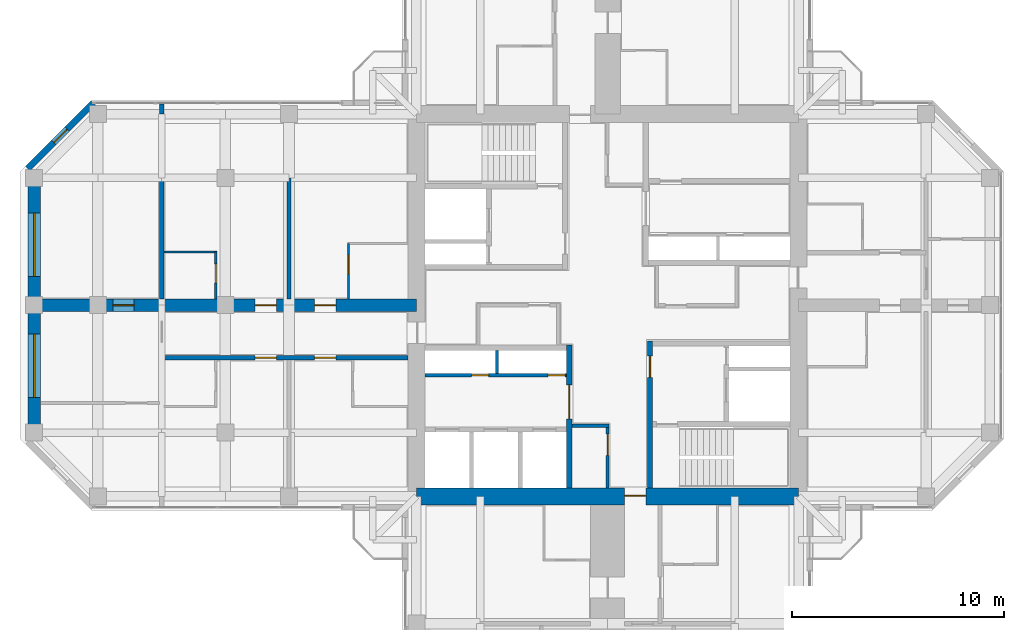
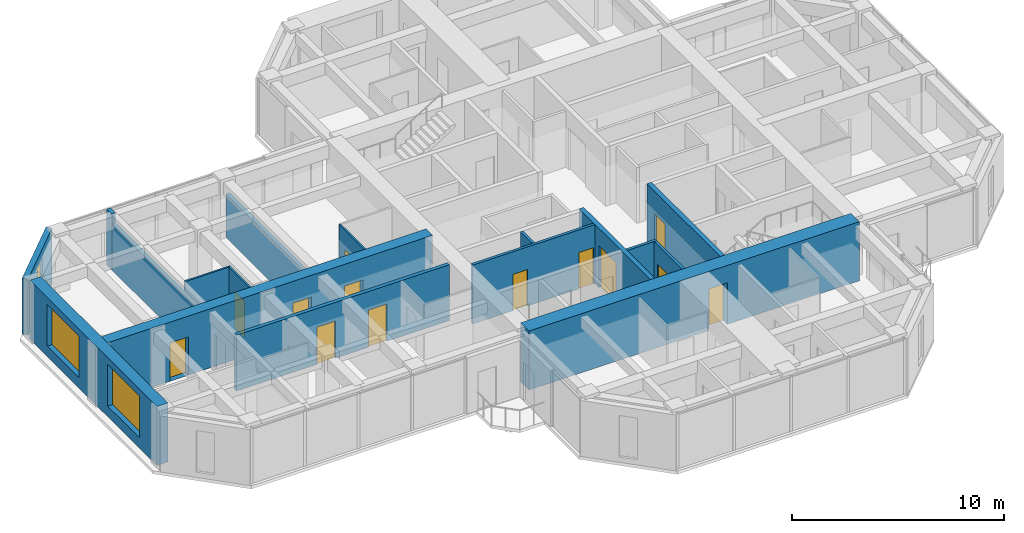
# One storey, part 9 of 14: 17 walls, 13 doors, 3 windows, 16 openings.
"""IFC4 building model written with IfcOpenShell, lengths in metres."""

from ifc_helpers import new_model, si_unit, direction, frame, frame_2d, origin, place, context, subcontext, project, spatial, rectangle, hollow_rectangle, extrude, material, layer, layer_set, constituent, constituent_set, type_object, element, fill, save


model = new_model("IFC4")

# Units and contexts
model_context = context("Model", 3, precision=1e-05, world=origin(), true_north=direction((0.0, 1.0)))
body_context = subcontext(model_context, "Body", "Model", "MODEL_VIEW")
ifc_project = project(units=[si_unit("LENGTHUNIT", "METRE"), si_unit("AREAUNIT", "SQUARE_METRE"), si_unit("VOLUMEUNIT", "CUBIC_METRE"), si_unit("PLANEANGLEUNIT", "RADIAN"), si_unit("MASSUNIT", "GRAM", prefix="KILO")], contexts=[model_context])

# Site, building, storey
site_placement = place(None, origin())
site = spatial("IfcSite", under=ifc_project, at=site_placement, CompositionType="ELEMENT")
building_placement = place(site_placement, origin())
building = spatial("IfcBuilding", under=site, at=building_placement, Name="Torre Cruceta", CompositionType="ELEMENT")
storey_placement = place(building_placement, frame((0.0, 0.0, 225.5)))
storey = spatial("IfcBuildingStorey", under=building, at=storey_placement, Name="L57", CompositionType="ELEMENT", Elevation=225.5)

# Wall, opening, door
ifc_material_1 = material(Name="Water-resistant plasterboard on steel studs", Category="steel")
ifc_layer_1 = layer(ifc_material_1, 0.10009765625)
ifc_layer_set_1 = layer_set([ifc_layer_1], Name="Water-resistant plasterboard on steel studs")
wall_type_1 = type_object("IfcWallType", Name="BATHROOM WALL 100", PredefinedType="PARTITIONING", material=ifc_layer_set_1)
wall_1_placement = place(storey_placement, frame((-12.199951171875, 2.89990234375, 0.0), z_axis=(0.0, 0.0, 1.0), x_axis=(0.0, -1.0, 0.0)))
wall_1 = element("IfcWall", 1, at=wall_1_placement, inside=storey, type_object=wall_type_1, Name="PT4 L57-W-U1RBS", PredefinedType="PARTITIONING", context=body_context, shape_type="SweptSolid", body=[
    extrude(rectangle(XDim=2.599853515625, YDim=0.10009765625, at=frame_2d((1.2998046875, 0.0))), origin(), (0.0, 0.0, 1.0), 3.219970703125),
])
opening_1_placement = place(wall_1_placement, frame((0.550048828125, 0.0, 0.0)))
opening_1 = element("IfcOpeningElement", 2, at=opening_1_placement, cuts=wall_1, Name="Opening D7", PredefinedType="OPENING", context=body_context, shape_type="SweptSolid", body=[
    extrude(rectangle(XDim=0.89990234375, YDim=2.10009765625, at=frame_2d((0.449951171875, 1.050048828125))), frame((0.0, 0.06005859375, 0.0), z_axis=(0.0, -1.0, 0.0), x_axis=(1.0, 0.0, 0.0)), (0.0, 0.0, 1.0), 0.1201171875),
])
ifc_material_2 = material(Name="Timber door", Category="wood")
door_type_1 = type_object("IfcDoorType", Name="BATHROOM DOOR 900X2100", OperationType="SINGLE_SWING_LEFT", PredefinedType="DOOR", material=ifc_material_2)
door_1_placement = place(opening_1_placement, origin())
door_1 = element("IfcDoor", 3, at=door_1_placement, inside=storey, type_object=door_type_1, Name="D7 L57-W-U1RBS-D1", OperationType="SINGLE_SWING_LEFT", OverallHeight=2.10009765625, OverallWidth=0.89990234375, PredefinedType="DOOR", context=body_context, shape_type="SweptSolid", body=[
    extrude(rectangle(XDim=0.89990234375, YDim=2.10009765625, at=frame_2d((0.449951171875, 1.050048828125))), frame((0.0, 0.02490234375, 0.0), z_axis=(0.0, -1.0, 0.0), x_axis=(1.0, 0.0, 0.0)), (0.0, 0.0, 1.0), 0.050048828125),
])
fill(opening_1, door_1)

# Wall
wall_2_placement = place(storey_placement, frame((-18.39990234375, 2.5, 0.0), z_axis=(0.0, 0.0, 1.0), x_axis=(-1.0, 0.0, 0.0)))
element("IfcWall", 4, at=wall_2_placement, inside=storey, type_object=wall_type_1, Name="PT4 L57-W-U2RBB", PredefinedType="PARTITIONING", context=body_context, shape_type="SweptSolid", body=[
    extrude(rectangle(XDim=2.5, YDim=0.10009765625, at=frame_2d((1.25, 0.0))), origin(), (0.0, 0.0, 1.0), 3.219970703125),
])

# Wall, opening, door
wall_3_placement = place(storey_placement, frame((-18.449951171875, 2.5, 0.0), z_axis=(0.0, 0.0, 1.0), x_axis=(0.0, -1.0, 0.0)))
wall_3 = element("IfcWall", 5, at=wall_3_placement, inside=storey, type_object=wall_type_1, Name="PT4 L57-W-U2RBS", PredefinedType="PARTITIONING", context=body_context, shape_type="SweptSolid", body=[
    extrude(rectangle(XDim=2.199951171875, YDim=0.10009765625, at=frame_2d((1.10009765625, 0.0))), origin(), (0.0, 0.0, 1.0), 3.219970703125),
])
opening_2_placement = place(wall_3_placement, frame((0.550048828125, 0.0, 0.0)))
opening_2 = element("IfcOpeningElement", 6, at=opening_2_placement, cuts=wall_3, Name="Opening D7", PredefinedType="OPENING", context=body_context, shape_type="SweptSolid", body=[
    extrude(rectangle(XDim=0.89990234375, YDim=2.10009765625, at=frame_2d((0.449951171875, 1.050048828125))), frame((0.0, 0.06005859375, 0.0), z_axis=(0.0, -1.0, 0.0), x_axis=(1.0, 0.0, 0.0)), (0.0, 0.0, 1.0), 0.1201171875),
])
door_2_placement = place(opening_2_placement, frame((0.89990234375, 0.0, 0.0), z_axis=(0.0, 0.0, 1.0), x_axis=(-1.0, 0.0, 0.0)))
door_2 = element("IfcDoor", 7, at=door_2_placement, inside=storey, type_object=door_type_1, Name="D7 L57-W-U2RBS-D1", OperationType="SINGLE_SWING_RIGHT", OverallHeight=2.10009765625, OverallWidth=0.89990234375, PredefinedType="DOOR", context=body_context, shape_type="SweptSolid", body=[
    extrude(rectangle(XDim=0.89990234375, YDim=2.10009765625, at=frame_2d((0.449951171875, 1.050048828125))), frame((0.0, 0.025146484375, 0.0), z_axis=(0.0, -1.0, 0.0), x_axis=(1.0, 0.0, 0.0)), (0.0, 0.0, 1.0), 0.050048828125),
])
fill(opening_2, door_2)

ifc_material_3 = material(Name="Concrete G60 (fck 60 MPa)", Category="concrete")
ifc_layer_2 = layer(ifc_material_3, 0.25)
ifc_layer_set_2 = layer_set([ifc_layer_2], Name="Concrete G60 (fck 60 MPa)")
wall_type_2 = type_object("IfcWallType", Name="CORE INNER WALL 250 G60", PredefinedType="SHEAR", material=ifc_layer_set_2)
wall_4_placement = place(storey_placement, frame((-1.800048828125, -1.875, 0.0), z_axis=(0.0, 0.0, 1.0), x_axis=(0.0, -1.0, 0.0)))
wall_4 = element("IfcWall", 8, at=wall_4_placement, inside=storey, type_object=wall_type_2, Name="CW4 L57 SW-CU", PredefinedType="SHEAR", context=body_context, shape_type="SweptSolid", body=[
    extrude(rectangle(XDim=6.72509765625, YDim=0.25, at=frame_2d((3.362548828125, 0.0))), origin(), (0.0, 0.0, 1.0), 3.39990234375),
])
opening_3_placement = place(wall_4_placement, frame((1.875, 0.0, 0.0)))
opening_3 = element("IfcOpeningElement", 9, at=opening_3_placement, cuts=wall_4, Name="Opening D8", PredefinedType="OPENING", context=body_context, shape_type="SweptSolid", body=[
    extrude(rectangle(XDim=1.60009765625, YDim=2.39990234375, at=frame_2d((0.800048828125, 1.199951171875))), frame((0.0, 0.135009765625, 0.0), z_axis=(0.0, -1.0, 0.0), x_axis=(1.0, 0.0, 0.0)), (0.0, 0.0, 1.0), 0.27001953125),
])
ifc_material_4 = material(Name="Steel DX51D", Category="steel")
ifc_constituent_1 = constituent(ifc_material_4, Name="Leaf and frame")
ifc_material_5 = material(Name="Polyester powder coating", Category="paint")
ifc_constituent_2 = constituent(ifc_material_5, Name="Finish")
ifc_material_6 = material(Name="Fire-resisting glass", Category="glass")
ifc_constituent_3 = constituent(ifc_material_6, Name="Vision panel")
ifc_constituent_set_1 = constituent_set(constituents=[ifc_constituent_1, ifc_constituent_2, ifc_constituent_3], Name="Steel fire door with vision panels")
door_type_2 = type_object("IfcDoorType", Name="LIFT LOBBY DOUBLE DOOR 1600X2400", OperationType="DOUBLE_DOOR_DOUBLE_SWING", PredefinedType="DOOR", material=ifc_constituent_set_1)
door_3_placement = place(opening_3_placement, origin())
door_3 = element("IfcDoor", 10, at=door_3_placement, inside=storey, type_object=door_type_2, Name="D8 L57 SW-LOBBY", OperationType="DOUBLE_DOOR_DOUBLE_SWING", OverallHeight=2.39990234375, OverallWidth=1.60009765625, PredefinedType="DOOR", context=body_context, shape_type="SweptSolid", body=[
    extrude(rectangle(XDim=1.60009765625, YDim=2.39990234375, at=frame_2d((0.800048828125, 1.199951171875))), frame((0.0, 0.02490234375, 0.0), z_axis=(0.0, -1.0, 0.0), x_axis=(1.0, 0.0, 0.0)), (0.0, 0.0, 1.0), 0.050048828125),
])
fill(opening_3, door_3)

wall_5_placement = place(storey_placement, frame((2.0, -1.675048828125, 0.0), z_axis=(0.0, 0.0, 1.0), x_axis=(0.0, -1.0, 0.0)))
wall_5 = element("IfcWall", 11, at=wall_5_placement, inside=storey, type_object=wall_type_2, Name="CW4 L57 SE-CU", PredefinedType="SHEAR", context=body_context, shape_type="SweptSolid", body=[
    extrude(rectangle(XDim=6.925048828125, YDim=0.25, at=frame_2d((3.46240234375, 0.0))), origin(), (0.0, 0.0, 1.0), 3.39990234375),
])
opening_4_placement = place(wall_5_placement, frame((0.72509765625, 0.0, 0.0)))
opening_4 = element("IfcOpeningElement", 12, at=opening_4_placement, cuts=wall_5, Name="Opening D3", PredefinedType="OPENING", context=body_context, shape_type="SweptSolid", body=[
    extrude(rectangle(XDim=1.0, YDim=2.10009765625, at=frame_2d((0.5, 1.050048828125))), frame((0.0, 0.135009765625, 0.0), z_axis=(0.0, -1.0, 0.0), x_axis=(1.0, 0.0, 0.0)), (0.0, 0.0, 1.0), 0.27001953125),
])
ifc_material_7 = material(Name="Steel DX51D", Category="steel")
ifc_constituent_4 = constituent(ifc_material_7, Name="Leaf and frame")
ifc_material_8 = material(Name="Polyester powder coating", Category="paint")
ifc_constituent_5 = constituent(ifc_material_8, Name="Finish")
ifc_constituent_set_2 = constituent_set(constituents=[ifc_constituent_4, ifc_constituent_5], Name="Steel fire door")
door_type_3 = type_object("IfcDoorType", Name="FIRE DOOR 1000X2100", OperationType="SINGLE_SWING_LEFT", PredefinedType="DOOR", material=ifc_constituent_set_2)
door_4_placement = place(opening_4_placement, origin())
door_4 = element("IfcDoor", 13, at=door_4_placement, inside=storey, type_object=door_type_3, Name="D3 L57 SE-LOBBY", OperationType="SINGLE_SWING_LEFT", OverallHeight=2.10009765625, OverallWidth=1.0, PredefinedType="DOOR", context=body_context, shape_type="SweptSolid", body=[
    extrude(rectangle(XDim=1.0, YDim=2.10009765625, at=frame_2d((0.5, 1.050048828125))), frame((0.0, 0.02490234375, 0.0), z_axis=(0.0, -1.0, 0.0), x_axis=(1.0, 0.0, 0.0)), (0.0, 0.0, 1.0), 0.050048828125),
])
fill(opening_4, door_4)

ifc_material_9 = material(Name="Concrete G60 (fck 60 MPa)", Category="concrete")
ifc_layer_3 = layer(ifc_material_9, 0.800048828125)
ifc_layer_set_3 = layer_set([ifc_layer_3], Name="Concrete G60 (fck 60 MPa)")
wall_type_3 = type_object("IfcWallType", Name="CORE WALL 800 G60", PredefinedType="SHEAR", material=ifc_layer_set_3)
wall_6_placement = place(storey_placement, frame((-9.0, -9.0, 0.0), z_axis=(0.0, 0.0, 1.0), x_axis=(1.0, 0.0, 0.0)))
wall_6 = element("IfcWall", 14, at=wall_6_placement, inside=storey, type_object=wall_type_3, Name="CW3 L57 CW-S", PredefinedType="SHEAR", context=body_context, shape_type="SweptSolid", body=[
    extrude(rectangle(XDim=18.0, YDim=0.800048828125, at=frame_2d((9.0, 0.0))), origin(), (0.0, 0.0, 1.0), 3.39990234375),
])
opening_5_placement = place(wall_6_placement, frame((9.800048828125, 0.0, 0.0)))
opening_5 = element("IfcOpeningElement", 15, at=opening_5_placement, cuts=wall_6, Name="Opening D4", PredefinedType="OPENING", context=body_context, shape_type="SweptSolid", body=[
    extrude(rectangle(XDim=1.0, YDim=2.39990234375, at=frame_2d((0.5, 1.199951171875))), frame((0.0, 0.409912109375, 0.0), z_axis=(0.0, -1.0, 0.0), x_axis=(1.0, 0.0, 0.0)), (0.0, 0.0, 1.0), 0.820068359375),
])
ifc_material_10 = material(Name="Steel DX51D", Category="steel")
ifc_constituent_6 = constituent(ifc_material_10, Name="Leaf and frame")
ifc_material_11 = material(Name="Polyester powder coating", Category="paint")
ifc_constituent_7 = constituent(ifc_material_11, Name="Finish")
ifc_constituent_set_3 = constituent_set(constituents=[ifc_constituent_6, ifc_constituent_7], Name="Steel fire door")
door_type_4 = type_object("IfcDoorType", Name="CORE ARM DOOR 1000X2400", OperationType="SINGLE_SWING_RIGHT", PredefinedType="DOOR", material=ifc_constituent_set_3)
door_5_placement = place(opening_5_placement, origin())
door_5 = element("IfcDoor", 16, at=door_5_placement, inside=storey, type_object=door_type_4, Name="D4 L57 CW-S", OperationType="SINGLE_SWING_RIGHT", OverallHeight=2.39990234375, OverallWidth=1.0, PredefinedType="DOOR", context=body_context, shape_type="SweptSolid", body=[
    extrude(rectangle(XDim=1.0, YDim=2.39990234375, at=frame_2d((0.5, 1.199951171875))), frame((0.0, 0.05517578125, 0.0), z_axis=(0.0, -1.0, 0.0), x_axis=(1.0, 0.0, 0.0)), (0.0, 0.0, 1.0), 0.050048828125),
])
fill(opening_5, door_5)

# Wall, openings, doors
ifc_material_12 = material(Name="Concrete G25 (fck 25 MPa)", Category="concrete")
ifc_layer_4 = layer(ifc_material_12, 0.199951171875)
ifc_layer_set_4 = layer_set([ifc_layer_4], Name="Concrete G25 (fck 25 MPa)")
wall_type_4 = type_object("IfcWallType", Name="CORRIDOR WALL 200", PredefinedType="SOLIDWALL", material=ifc_layer_set_4)
wall_7_placement = place(storey_placement, frame((-9.39990234375, -2.47509765625, 0.0), z_axis=(0.0, 0.0, 1.0), x_axis=(-1.0, 0.0, 0.0)))
wall_7 = element("IfcWall", 17, at=wall_7_placement, inside=storey, type_object=wall_type_4, Name="PT3 L57-W-CL", PredefinedType="SOLIDWALL", context=body_context, shape_type="SweptSolid", body=[
    extrude(rectangle(XDim=11.60009765625, YDim=0.199951171875, at=frame_2d((5.800048828125, 0.0))), origin(), (0.0, 0.0, 1.0), 3.219970703125),
])
opening_6_placement = place(wall_7_placement, frame((3.39990234375, 0.0, 0.0)))
opening_6 = element("IfcOpeningElement", 18, at=opening_6_placement, cuts=wall_7, Name="Opening D6", PredefinedType="OPENING", context=body_context, shape_type="SweptSolid", body=[
    extrude(rectangle(XDim=1.0, YDim=2.14990234375, at=frame_2d((0.5, 1.074951171875))), frame((0.0, 0.10986328125, 0.0), z_axis=(0.0, -1.0, 0.0), x_axis=(1.0, 0.0, 0.0)), (0.0, 0.0, 1.0), 0.219970703125),
])
opening_7_placement = place(wall_7_placement, frame((6.199951171875, 0.0, 0.0)))
opening_7 = element("IfcOpeningElement", 19, at=opening_7_placement, cuts=wall_7, Name="Opening D6", PredefinedType="OPENING", context=body_context, shape_type="SweptSolid", body=[
    extrude(rectangle(XDim=1.0, YDim=2.14990234375, at=frame_2d((0.5, 1.074951171875))), frame((0.0, 0.10986328125, 0.0), z_axis=(0.0, -1.0, 0.0), x_axis=(1.0, 0.0, 0.0)), (0.0, 0.0, 1.0), 0.219970703125),
])
ifc_material_13 = material(Name="Timber fire door", Category="wood")
door_type_5 = type_object("IfcDoorType", Name="UNIT ENTRANCE DOOR 1000X2150", OperationType="SINGLE_SWING_LEFT", PredefinedType="DOOR", material=ifc_material_13)
door_6_placement = place(opening_6_placement, origin())
door_6 = element("IfcDoor", 20, at=door_6_placement, inside=storey, type_object=door_type_5, Name="D6 L57-W-CL-D1", OperationType="SINGLE_SWING_LEFT", OverallHeight=2.14990234375, OverallWidth=1.0, PredefinedType="DOOR", context=body_context, shape_type="SweptSolid", body=[
    extrude(rectangle(XDim=1.0, YDim=2.14990234375, at=frame_2d((0.5, 1.074951171875))), frame((0.0, 0.02490234375, 0.0), z_axis=(0.0, -1.0, 0.0), x_axis=(1.0, 0.0, 0.0)), (0.0, 0.0, 1.0), 0.050048828125),
])
fill(opening_6, door_6)
door_7_placement = place(opening_7_placement, origin())
door_7 = element("IfcDoor", 21, at=door_7_placement, inside=storey, type_object=door_type_5, Name="D6 L57-W-CL-D2", OperationType="SINGLE_SWING_LEFT", OverallHeight=2.14990234375, OverallWidth=1.0, PredefinedType="DOOR", context=body_context, shape_type="SweptSolid", body=[
    extrude(rectangle(XDim=1.0, YDim=2.14990234375, at=frame_2d((0.5, 1.074951171875))), frame((0.0, 0.02490234375, 0.0), z_axis=(0.0, -1.0, 0.0), x_axis=(1.0, 0.0, 0.0)), (0.0, 0.0, 1.0), 0.050048828125),
])
fill(opening_7, door_7)

# Wall, opening, window
ifc_material_14 = material(Name="Concrete G30 (fck 30 MPa)", Category="concrete")
ifc_layer_5 = layer(ifc_material_14, 0.300048828125)
ifc_layer_set_5 = layer_set([ifc_layer_5], Name="Concrete G30 (fck 30 MPa)")
wall_type_5 = type_object("IfcWallType", Name="EXPOSED CONCRETE FACADE WALL 300", PredefinedType="SOLIDWALL", material=ifc_layer_set_5)
wall_8_placement = place(storey_placement, frame((-24.21533203125, 9.52001953125, 0.0), z_axis=(0.0, 0.0, 1.0), x_axis=(-0.707106781187, -0.707106781187, 0.0)))
wall_8 = element("IfcWall", 22, at=wall_8_placement, inside=storey, type_object=wall_type_5, Name="EW1 facade wall L57 W chamfer 11", PredefinedType="SOLIDWALL", context=body_context, shape_type="SweptSolid", body=[
    extrude(rectangle(XDim=4.362548828125, YDim=0.300048828125, at=frame_2d((2.18115234375, 0.0))), origin(), (0.0, 0.0, 1.0), 3.219970703125),
])
opening_8_placement = place(wall_8_placement, frame((1.731201171875, 0.0, 0.300048828125)))
opening_8 = element("IfcOpeningElement", 23, at=opening_8_placement, cuts=wall_8, Name="Opening WN5", PredefinedType="OPENING", context=body_context, shape_type="SweptSolid", body=[
    extrude(rectangle(XDim=0.89990234375, YDim=2.39990234375, at=frame_2d((0.449951171875, 1.199951171875))), frame((0.0, 0.159912109375, 0.0), z_axis=(0.0, -1.0, 0.0), x_axis=(1.0, 0.0, 0.0)), (0.0, 0.0, 1.0), 0.320068359375),
])
ifc_material_15 = material(Name="Aluminium window frame", Category="aluminium")
ifc_constituent_8 = constituent(ifc_material_15, Name="Frame")
ifc_material_16 = material(Name="Laminated insulating glass unit, low-iron clear", Category="glass")
ifc_constituent_9 = constituent(ifc_material_16, Name="Glazing")
ifc_constituent_set_4 = constituent_set(constituents=[ifc_constituent_8, ifc_constituent_9], Name="Aluminium window")
window_type_1 = type_object("IfcWindowType", Name="CHAMFER SLOT WINDOW 900X2400", PartitioningType="SINGLE_PANEL", PredefinedType="WINDOW", material=ifc_constituent_set_4)
window_1_placement = place(opening_8_placement, origin())
window_1 = element("IfcWindow", 24, at=window_1_placement, inside=storey, type_object=window_type_1, Name="WN5 L57 W 1", OverallHeight=2.39990234375, OverallWidth=0.89990234375, PartitioningType="SINGLE_PANEL", PredefinedType="WINDOW", context=body_context, shape_type="SweptSolid", body=[
    extrude(hollow_rectangle(XDim=0.89990234375, YDim=2.39990234375, WallThickness=0.06005859375, at=frame_2d((0.449951171875, 1.199951171875))), frame((0.0, 0.030029296875, 0.0), z_axis=(0.0, -1.0, 0.0), x_axis=(1.0, 0.0, 0.0)), (0.0, 0.0, 1.0), 0.06005859375),
    extrude(rectangle(XDim=0.77880859375, YDim=2.27880859375, at=frame_2d((0.449951171875, 1.199951171875))), frame((0.0, 0.030029296875, 0.0), z_axis=(0.0, -1.0, 0.0), x_axis=(1.0, 0.0, 0.0)), (0.0, 0.0, 1.0), 0.06005859375),
])
fill(opening_8, window_1)

# Wall, openings, windows
ifc_material_17 = material(Name="Concrete G60 (fck 60 MPa)", Category="concrete")
ifc_layer_6 = layer(ifc_material_17, 0.60009765625)
ifc_layer_set_6 = layer_set([ifc_layer_6], Name="Concrete G60 (fck 60 MPa)")
wall_type_6 = type_object("IfcWallType", Name="NOSE WALL 600 G60", PredefinedType="SHEAR", material=ifc_layer_set_6)
wall_9_placement = place(storey_placement, frame((-27.0, 6.0, 0.0), z_axis=(0.0, 0.0, 1.0), x_axis=(0.0, -1.0, 0.0)))
wall_9 = element("IfcWall", 25, at=wall_9_placement, inside=storey, type_object=wall_type_6, Name="NW3 nose wall L57 W", PredefinedType="SHEAR", context=body_context, shape_type="SweptSolid", body=[
    extrude(rectangle(XDim=12.0, YDim=0.60009765625, at=frame_2d((6.0, 0.0))), origin(), (0.0, 0.0, 1.0), 3.39990234375),
])
opening_9_placement = place(wall_9_placement, frame((1.64990234375, 0.0, 0.60009765625)))
opening_9 = element("IfcOpeningElement", 26, at=opening_9_placement, cuts=wall_9, Name="Opening WN6", PredefinedType="OPENING", context=body_context, shape_type="SweptSolid", body=[
    extrude(rectangle(XDim=3.0, YDim=2.39990234375, at=frame_2d((1.5, 1.199951171875))), frame((0.0, 0.31005859375, 0.0), z_axis=(0.0, -1.0, 0.0), x_axis=(1.0, 0.0, 0.0)), (0.0, 0.0, 1.0), 0.6201171875),
])
opening_10_placement = place(wall_9_placement, frame((7.35009765625, 0.0, 0.60009765625)))
opening_10 = element("IfcOpeningElement", 27, at=opening_10_placement, cuts=wall_9, Name="Opening WN6", PredefinedType="OPENING", context=body_context, shape_type="SweptSolid", body=[
    extrude(rectangle(XDim=3.0, YDim=2.39990234375, at=frame_2d((1.5, 1.199951171875))), frame((0.0, 0.31005859375, 0.0), z_axis=(0.0, -1.0, 0.0), x_axis=(1.0, 0.0, 0.0)), (0.0, 0.0, 1.0), 0.6201171875),
])
ifc_material_18 = material(Name="Aluminium window frame", Category="aluminium")
ifc_constituent_10 = constituent(ifc_material_18, Name="Frame")
ifc_material_19 = material(Name="Laminated insulating glass unit, low-iron clear", Category="glass")
ifc_constituent_11 = constituent(ifc_material_19, Name="Glazing")
ifc_constituent_set_5 = constituent_set(constituents=[ifc_constituent_10, ifc_constituent_11], Name="Aluminium window")
window_type_2 = type_object("IfcWindowType", Name="NOSE WALL WINDOW 3000X2400", PartitioningType="SINGLE_PANEL", PredefinedType="WINDOW", material=ifc_constituent_set_5)
window_2_placement = place(opening_9_placement, origin())
window_2 = element("IfcWindow", 28, at=window_2_placement, inside=storey, type_object=window_type_2, Name="WN6 L57 W 1", OverallHeight=2.39990234375, OverallWidth=3.0, PartitioningType="SINGLE_PANEL", PredefinedType="WINDOW", context=body_context, shape_type="SweptSolid", body=[
    extrude(hollow_rectangle(XDim=3.0, YDim=2.39990234375, WallThickness=0.06005859375, at=frame_2d((1.5, 1.199951171875))), frame((0.0, 0.030029296875, 0.0), z_axis=(0.0, -1.0, 0.0), x_axis=(1.0, 0.0, 0.0)), (0.0, 0.0, 1.0), 0.06005859375),
    extrude(rectangle(XDim=2.87890625, YDim=2.27880859375, at=frame_2d((1.5, 1.199951171875))), frame((0.0, 0.030029296875, 0.0), z_axis=(0.0, -1.0, 0.0), x_axis=(1.0, 0.0, 0.0)), (0.0, 0.0, 1.0), 0.06005859375),
])
fill(opening_9, window_2)
window_3_placement = place(opening_10_placement, origin())
window_3 = element("IfcWindow", 29, at=window_3_placement, inside=storey, type_object=window_type_2, Name="WN6 L57 W 2", OverallHeight=2.39990234375, OverallWidth=3.0, PartitioningType="SINGLE_PANEL", PredefinedType="WINDOW", context=body_context, shape_type="SweptSolid", body=[
    extrude(hollow_rectangle(XDim=3.0, YDim=2.39990234375, WallThickness=0.06005859375, at=frame_2d((1.5, 1.199951171875))), frame((0.0, 0.030029296875, 0.0), z_axis=(0.0, -1.0, 0.0), x_axis=(1.0, 0.0, 0.0)), (0.0, 0.0, 1.0), 0.06005859375),
    extrude(rectangle(XDim=2.87890625, YDim=2.27880859375, at=frame_2d((1.5, 1.199951171875))), frame((0.0, 0.030029296875, 0.0), z_axis=(0.0, -1.0, 0.0), x_axis=(1.0, 0.0, 0.0)), (0.0, 0.0, 1.0), 0.06005859375),
])
fill(opening_10, window_3)

# Wall, opening, door
ifc_material_20 = material(Name="Plasterboard on steel studs", Category="steel")
ifc_layer_7 = layer(ifc_material_20, 0.14990234375)
ifc_layer_set_7 = layer_set([ifc_layer_7], Name="Plasterboard on steel studs")
wall_type_7 = type_object("IfcWallType", Name="PARTITION 150", PredefinedType="PARTITIONING", material=ifc_layer_set_7)
wall_10_placement = place(storey_placement, frame((0.0, -5.675048828125, 0.0), z_axis=(0.0, 0.0, 1.0), x_axis=(0.0, -1.0, 0.0)))
wall_10 = element("IfcWall", 30, at=wall_10_placement, inside=storey, type_object=wall_type_7, Name="PT1 L57-CORE-LEGS-W-W1", PredefinedType="PARTITIONING", context=body_context, shape_type="SweptSolid", body=[
    extrude(rectangle(XDim=2.925048828125, YDim=0.14990234375, at=frame_2d((1.46240234375, 0.0))), origin(), (0.0, 0.0, 1.0), 3.219970703125),
])
opening_11_placement = place(wall_10_placement, frame((0.39990234375, 0.0, 0.0)))
opening_11 = element("IfcOpeningElement", 31, at=opening_11_placement, cuts=wall_10, Name="Opening D3", PredefinedType="OPENING", context=body_context, shape_type="SweptSolid", body=[
    extrude(rectangle(XDim=1.0, YDim=2.10009765625, at=frame_2d((0.5, 1.050048828125))), frame((0.0, 0.0849609375, 0.0), z_axis=(0.0, -1.0, 0.0), x_axis=(1.0, 0.0, 0.0)), (0.0, 0.0, 1.0), 0.169921875),
])
door_8_placement = place(opening_11_placement, frame((1.0, 0.0, 0.0), z_axis=(0.0, 0.0, 1.0), x_axis=(-1.0, 0.0, 0.0)))
door_8 = element("IfcDoor", 32, at=door_8_placement, inside=storey, type_object=door_type_3, Name="D3 L57-CORE-LEGS-W-W1-D1", OperationType="SINGLE_SWING_RIGHT", OverallHeight=2.10009765625, OverallWidth=1.0, PredefinedType="DOOR", context=body_context, shape_type="SweptSolid", body=[
    extrude(rectangle(XDim=1.0, YDim=2.10009765625, at=frame_2d((0.5, 1.050048828125))), frame((0.0, 0.025146484375, 0.0), z_axis=(0.0, -1.0, 0.0), x_axis=(1.0, 0.0, 0.0)), (0.0, 0.0, 1.0), 0.050048828125),
])
fill(opening_11, door_8)

# Wall
wall_11_placement = place(storey_placement, frame((-1.675048828125, -5.675048828125, 0.0), z_axis=(0.0, 0.0, 1.0), x_axis=(1.0, 0.0, 0.0)))
element("IfcWall", 33, at=wall_11_placement, inside=storey, type_object=wall_type_7, Name="PT1 L57-CORE-LEGS-W-W2", PredefinedType="PARTITIONING", context=body_context, shape_type="SweptSolid", body=[
    extrude(rectangle(XDim=1.75, YDim=0.14990234375, at=frame_2d((0.875, 0.0))), origin(), (0.0, 0.0, 1.0), 3.219970703125),
])

# Wall, openings, doors
ifc_material_21 = material(Name="Concrete block masonry", Category="masonry")
ifc_layer_8 = layer(ifc_material_21, 0.14990234375)
ifc_layer_set_8 = layer_set([ifc_layer_8], Name="Concrete block masonry")
wall_type_8 = type_object("IfcWallType", Name="RISER WALL 150", PredefinedType="PARTITIONING", material=ifc_layer_set_8)
wall_12_placement = place(storey_placement, frame((-1.925048828125, -3.300048828125, 0.0), z_axis=(0.0, 0.0, 1.0), x_axis=(-1.0, 0.0, 0.0)))
wall_12 = element("IfcWall", 34, at=wall_12_placement, inside=storey, type_object=wall_type_8, Name="SW7 L57 SW-RV", PredefinedType="PARTITIONING", context=body_context, shape_type="SweptSolid", body=[
    extrude(rectangle(XDim=6.675048828125, YDim=0.14990234375, at=frame_2d((3.33740234375, 0.0))), origin(), (0.0, 0.0, 1.0), 3.39990234375),
])
opening_12_placement = place(wall_12_placement, frame((0.074951171875, 0.0, 0.0)))
opening_12 = element("IfcOpeningElement", 35, at=opening_12_placement, cuts=wall_12, Name="Opening D5", PredefinedType="OPENING", context=body_context, shape_type="SweptSolid", body=[
    extrude(rectangle(XDim=0.800048828125, YDim=2.10009765625, at=frame_2d((0.39990234375, 1.050048828125))), frame((0.0, 0.0849609375, 0.0), z_axis=(0.0, -1.0, 0.0), x_axis=(1.0, 0.0, 0.0)), (0.0, 0.0, 1.0), 0.169921875),
])
opening_13_placement = place(wall_12_placement, frame((3.675048828125, 0.0, 0.0)))
opening_13 = element("IfcOpeningElement", 36, at=opening_13_placement, cuts=wall_12, Name="Opening D5", PredefinedType="OPENING", context=body_context, shape_type="SweptSolid", body=[
    extrude(rectangle(XDim=0.800048828125, YDim=2.10009765625, at=frame_2d((0.39990234375, 1.050048828125))), frame((0.0, 0.0849609375, 0.0), z_axis=(0.0, -1.0, 0.0), x_axis=(1.0, 0.0, 0.0)), (0.0, 0.0, 1.0), 0.169921875),
])
ifc_material_22 = material(Name="Steel DX51D", Category="steel")
ifc_constituent_12 = constituent(ifc_material_22, Name="Leaf and frame")
ifc_material_23 = material(Name="Polyester powder coating", Category="paint")
ifc_constituent_13 = constituent(ifc_material_23, Name="Finish")
ifc_constituent_set_6 = constituent_set(constituents=[ifc_constituent_12, ifc_constituent_13], Name="Steel fire door")
door_type_6 = type_object("IfcDoorType", Name="RISER ACCESS DOOR 800X2100", OperationType="SINGLE_SWING_LEFT", PredefinedType="DOOR", material=ifc_constituent_set_6)
door_9_placement = place(opening_12_placement, frame((0.800048828125, 0.0, 0.0), z_axis=(0.0, 0.0, 1.0), x_axis=(-1.0, 0.0, 0.0)))
door_9 = element("IfcDoor", 37, at=door_9_placement, inside=storey, type_object=door_type_6, Name="D5 L57 SW-RISER1", OperationType="SINGLE_SWING_RIGHT", OverallHeight=2.10009765625, OverallWidth=0.800048828125, PredefinedType="DOOR", context=body_context, shape_type="SweptSolid", body=[
    extrude(rectangle(XDim=0.800048828125, YDim=2.10009765625, at=frame_2d((0.400146484375, 1.050048828125))), frame((0.0, 0.025146484375, 0.0), z_axis=(0.0, -1.0, 0.0), x_axis=(1.0, 0.0, 0.0)), (0.0, 0.0, 1.0), 0.050048828125),
])
fill(opening_12, door_9)
door_10_placement = place(opening_13_placement, frame((0.800048828125, 0.0, 0.0), z_axis=(0.0, 0.0, 1.0), x_axis=(-1.0, 0.0, 0.0)))
door_10 = element("IfcDoor", 38, at=door_10_placement, inside=storey, type_object=door_type_6, Name="D5 L57 SW-RISER2", OperationType="SINGLE_SWING_RIGHT", OverallHeight=2.10009765625, OverallWidth=0.800048828125, PredefinedType="DOOR", context=body_context, shape_type="SweptSolid", body=[
    extrude(rectangle(XDim=0.800048828125, YDim=2.10009765625, at=frame_2d((0.400146484375, 1.050048828125))), frame((0.0, 0.025146484375, 0.0), z_axis=(0.0, -1.0, 0.0), x_axis=(1.0, 0.0, 0.0)), (0.0, 0.0, 1.0), 0.050048828125),
])
fill(opening_13, door_10)

# Wall
wall_13_placement = place(storey_placement, frame((-5.199951171875, -2.125, 0.0), z_axis=(0.0, 0.0, 1.0), x_axis=(0.0, -1.0, 0.0)))
element("IfcWall", 39, at=wall_13_placement, inside=storey, type_object=wall_type_8, Name="SW7 L57 SW-RU", PredefinedType="PARTITIONING", context=body_context, shape_type="SweptSolid", body=[
    extrude(rectangle(XDim=1.10009765625, YDim=0.14990234375, at=frame_2d((0.550048828125, 0.0))), origin(), (0.0, 0.0, 1.0), 3.39990234375),
])

# Wall, openings, doors
ifc_material_24 = material(Name="Concrete G60 (fck 60 MPa)", Category="concrete")
ifc_layer_9 = layer(ifc_material_24, 0.60009765625)
ifc_layer_set_9 = layer_set([ifc_layer_9], Name="Concrete G60 (fck 60 MPa)")
wall_type_9 = type_object("IfcWallType", Name="SPINE WALL 600 G60", PredefinedType="SHEAR", material=ifc_layer_set_9)
wall_14_placement = place(storey_placement, frame((-9.0, 0.0, 0.0), z_axis=(0.0, 0.0, 1.0), x_axis=(-1.0, 0.0, 0.0)))
wall_14 = element("IfcWall", 40, at=wall_14_placement, inside=storey, type_object=wall_type_9, Name="SW5 spine wall L57 W", PredefinedType="SHEAR", context=body_context, shape_type="SweptSolid", body=[
    extrude(rectangle(XDim=18.0, YDim=0.60009765625, at=frame_2d((9.0, 0.0))), origin(), (0.0, 0.0, 1.0), 3.39990234375),
])
opening_14_placement = place(wall_14_placement, frame((3.800048828125, 0.0, 0.0)))
opening_14 = element("IfcOpeningElement", 41, at=opening_14_placement, cuts=wall_14, Name="Opening D6", PredefinedType="OPENING", context=body_context, shape_type="SweptSolid", body=[
    extrude(rectangle(XDim=1.0, YDim=2.14990234375, at=frame_2d((0.5, 1.074951171875))), frame((0.0, 0.31005859375, 0.0), z_axis=(0.0, -1.0, 0.0), x_axis=(1.0, 0.0, 0.0)), (0.0, 0.0, 1.0), 0.6201171875),
])
opening_15_placement = place(wall_14_placement, frame((6.60009765625, 0.0, 0.0)))
opening_15 = element("IfcOpeningElement", 42, at=opening_15_placement, cuts=wall_14, Name="Opening D6", PredefinedType="OPENING", context=body_context, shape_type="SweptSolid", body=[
    extrude(rectangle(XDim=1.0, YDim=2.14990234375, at=frame_2d((0.5, 1.074951171875))), frame((0.0, 0.31005859375, 0.0), z_axis=(0.0, -1.0, 0.0), x_axis=(1.0, 0.0, 0.0)), (0.0, 0.0, 1.0), 0.6201171875),
])
opening_16_placement = place(wall_14_placement, frame((13.300048828125, 0.0, 0.0)))
opening_16 = element("IfcOpeningElement", 43, at=opening_16_placement, cuts=wall_14, Name="Opening D14", PredefinedType="OPENING", context=body_context, shape_type="SweptSolid", body=[
    extrude(rectangle(XDim=1.0, YDim=2.199951171875, at=frame_2d((0.5, 1.10009765625))), frame((0.0, 0.31005859375, 0.0), z_axis=(0.0, -1.0, 0.0), x_axis=(1.0, 0.0, 0.0)), (0.0, 0.0, 1.0), 0.6201171875),
])
ifc_material_25 = material(Name="Steel DX51D", Category="steel")
ifc_constituent_14 = constituent(ifc_material_25, Name="Leaf and frame")
ifc_material_26 = material(Name="Polyester powder coating", Category="paint")
ifc_constituent_15 = constituent(ifc_material_26, Name="Finish")
ifc_material_27 = material(Name="Fire-resisting glass", Category="glass")
ifc_constituent_16 = constituent(ifc_material_27, Name="Vision panel")
ifc_constituent_set_7 = constituent_set(constituents=[ifc_constituent_14, ifc_constituent_15, ifc_constituent_16], Name="Steel fire door with vision panel")
door_type_7 = type_object("IfcDoorType", Name="FIRE DOOR VISION PANEL 1000X2200", OperationType="SINGLE_SWING_RIGHT", PredefinedType="DOOR", material=ifc_constituent_set_7)
door_11_placement = place(opening_16_placement, origin())
door_11 = element("IfcDoor", 44, at=door_11_placement, inside=storey, type_object=door_type_7, Name="D14 L57-W-SP3", OperationType="SINGLE_SWING_LEFT", OverallHeight=2.199951171875, OverallWidth=1.0, PredefinedType="DOOR", context=body_context, shape_type="SweptSolid", body=[
    extrude(rectangle(XDim=1.0, YDim=2.199951171875, at=frame_2d((0.5, 1.10009765625))), frame((0.0, 0.02490234375, 0.0), z_axis=(0.0, -1.0, 0.0), x_axis=(1.0, 0.0, 0.0)), (0.0, 0.0, 1.0), 0.050048828125),
])
fill(opening_16, door_11)
door_12_placement = place(opening_14_placement, frame((1.0, 0.0, 0.0), z_axis=(0.0, 0.0, 1.0), x_axis=(-1.0, 0.0, 0.0)))
door_12 = element("IfcDoor", 45, at=door_12_placement, inside=storey, type_object=door_type_5, Name="D6 L57-W-SP1", OperationType="SINGLE_SWING_RIGHT", OverallHeight=2.14990234375, OverallWidth=1.0, PredefinedType="DOOR", context=body_context, shape_type="SweptSolid", body=[
    extrude(rectangle(XDim=1.0, YDim=2.14990234375, at=frame_2d((0.5, 1.074951171875))), frame((0.0, 0.025146484375, 0.0), z_axis=(0.0, -1.0, 0.0), x_axis=(1.0, 0.0, 0.0)), (0.0, 0.0, 1.0), 0.050048828125),
])
fill(opening_14, door_12)
door_13_placement = place(opening_15_placement, frame((1.0, 0.0, 0.0), z_axis=(0.0, 0.0, 1.0), x_axis=(-1.0, 0.0, 0.0)))
door_13 = element("IfcDoor", 46, at=door_13_placement, inside=storey, type_object=door_type_5, Name="D6 L57-W-SP2", OperationType="SINGLE_SWING_RIGHT", OverallHeight=2.14990234375, OverallWidth=1.0, PredefinedType="DOOR", context=body_context, shape_type="SweptSolid", body=[
    extrude(rectangle(XDim=1.0, YDim=2.14990234375, at=frame_2d((0.5, 1.074951171875))), frame((0.0, 0.025146484375, 0.0), z_axis=(0.0, -1.0, 0.0), x_axis=(1.0, 0.0, 0.0)), (0.0, 0.0, 1.0), 0.050048828125),
])
fill(opening_15, door_13)

# Walls
ifc_material_28 = material(Name="Concrete G25 (fck 25 MPa)", Category="concrete")
ifc_layer_10 = layer(ifc_material_28, 0.199951171875)
ifc_layer_set_10 = layer_set([ifc_layer_10], Name="Concrete G25 (fck 25 MPa)")
wall_type_10 = type_object("IfcWallType", Name="UNIT SEPARATING WALL 200", PredefinedType="SOLIDWALL", material=ifc_layer_set_10)
wall_15_placement = place(storey_placement, frame((-15.0, 8.60009765625, 0.0), z_axis=(0.0, 0.0, 1.0), x_axis=(0.0, -1.0, 0.0)))
element("IfcWall", 47, at=wall_15_placement, inside=storey, type_object=wall_type_10, Name="PT2 L57-W-P1R", PredefinedType="SOLIDWALL", context=body_context, shape_type="SweptSolid", body=[
    extrude(rectangle(XDim=8.300048828125, YDim=0.199951171875, at=frame_2d((4.14990234375, 0.0))), origin(), (0.0, 0.0, 1.0), 2.52001953125),
])
wall_16_placement = place(storey_placement, frame((-21.0, 9.47998046875, 0.0), z_axis=(0.0, 0.0, 1.0), x_axis=(0.0, -1.0, 0.0)))
element("IfcWall", 48, at=wall_16_placement, inside=storey, type_object=wall_type_10, Name="PT2 L57-W-ENDa", PredefinedType="SOLIDWALL", context=body_context, shape_type="SweptSolid", body=[
    extrude(rectangle(XDim=0.47998046875, YDim=0.199951171875, at=frame_2d((0.239990234375, 0.0))), origin(), (0.0, 0.0, 1.0), 3.219970703125),
])
wall_17_placement = place(storey_placement, frame((-21.0, 9.0, 0.0), z_axis=(0.0, 0.0, 1.0), x_axis=(0.0, -1.0, 0.0)))
element("IfcWall", 49, at=wall_17_placement, inside=storey, type_object=wall_type_10, Name="PT2 L57-W-ENDa 2", PredefinedType="SOLIDWALL", context=body_context, shape_type="SweptSolid", body=[
    extrude(rectangle(XDim=8.699951171875, YDim=0.199951171875, at=frame_2d((4.35009765625, 0.0))), origin(), (0.0, 0.0, 1.0), 2.669921875),
])

save(model, "model.ifc")
